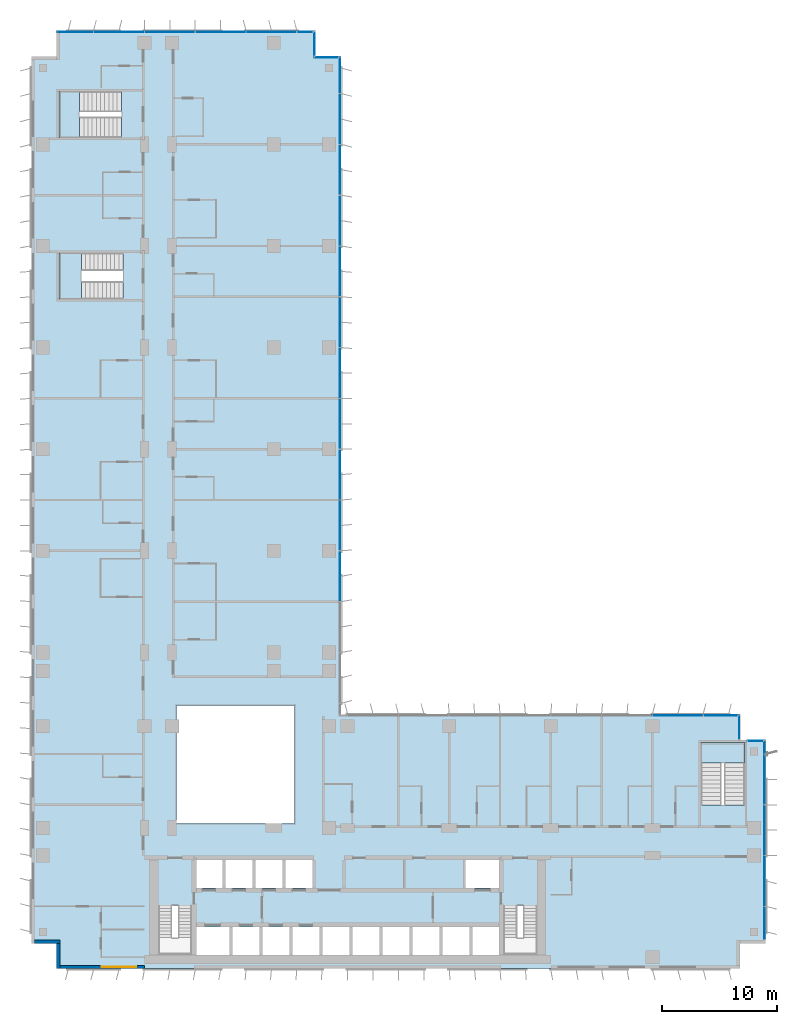
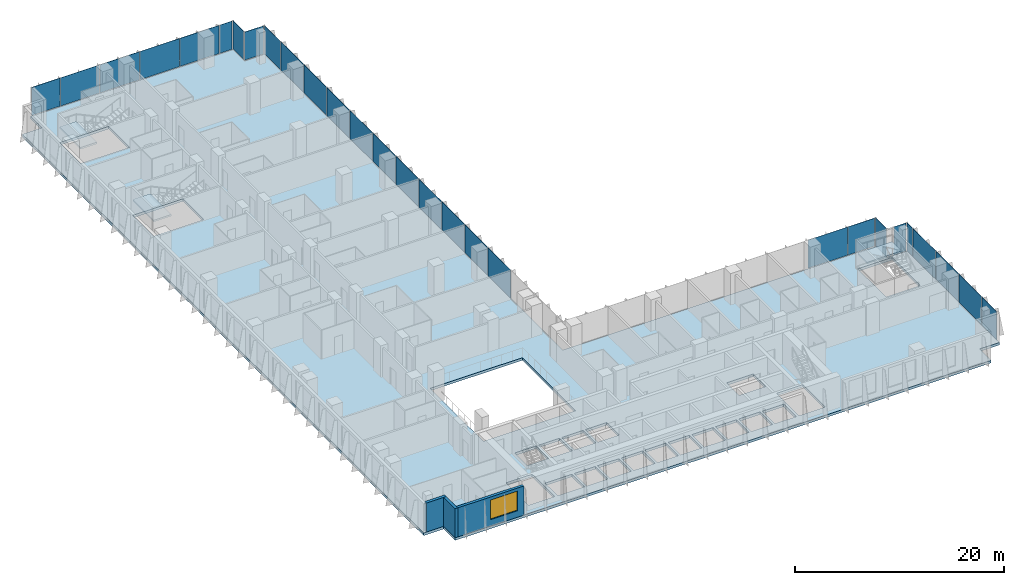
# One storey, part 11 of 22: 28 plates, 4 slabs, 3 walls, 1 window, 1 opening, 11 elements without a shape of their own.
"""IFC4 building model written with IfcOpenShell, lengths in metres."""

from ifc_helpers import new_model, si_unit, direction, frame, frame_2d, origin, origin_2d, place, context, subcontext, project, spatial, polyline, rectangle, outline, extrude, source, transform, mapped, material, layer, layer_set, type_object, element, fill, aggregate, save


model = new_model("IFC4")

# Units and contexts
model_context = context("Model", 3, precision=1e-05, world=origin(), true_north=direction((0.0, 1.0)))
body_context = subcontext(model_context, "Body", "Model", "MODEL_VIEW")
ifc_project = project(units=[si_unit("LENGTHUNIT", "METRE"), si_unit("AREAUNIT", "SQUARE_METRE"), si_unit("VOLUMEUNIT", "CUBIC_METRE"), si_unit("PLANEANGLEUNIT", "RADIAN"), si_unit("MASSUNIT", "GRAM", prefix="KILO")], contexts=[model_context])

# Site, building, storey
site_placement = place(None, origin())
site = spatial("IfcSite", under=ifc_project, at=site_placement, CompositionType="ELEMENT")
building_placement = place(site_placement, origin())
building = spatial("IfcBuilding", under=site, at=building_placement, Name="Kemantara Hotel Tower", CompositionType="ELEMENT")
storey_placement = place(building_placement, frame((0.0, 0.0, 107.39990234375)))
storey = spatial("IfcBuildingStorey", under=building, at=storey_placement, Name="L25", CompositionType="ELEMENT", Elevation=107.39990234375)

# Slab
ifc_material_1 = material(Name="Concrete fc 40 MPa", Category="concrete")
ifc_layer_1 = layer(ifc_material_1, 0.300048828125)
ifc_layer_set_1 = layer_set([ifc_layer_1], Name="Concrete fc 40 MPa")
slab_type_1 = type_object("IfcSlabType", Name="POST-TENSIONED FLAT PLATE 300", PredefinedType="FLOOR", material=ifc_layer_set_1)
slab_1_placement = place(storey_placement, frame((0.0, 0.0, -0.2998046875)))
element("IfcSlab", 1, at=slab_1_placement, inside=storey, type_object=slab_type_1, Name="FLOOR SLAB L25", PredefinedType="FLOOR", context=body_context, shape_type="SweptSolid", body=[
    extrude(outline(polyline([(26.800048828125, 79.0), (24.60009765625, 79.0), (24.60009765625, 81.199951171875), (2.199951171875, 81.199951171875), (2.199951171875, 79.0), (0.0, 79.0), (0.0, 2.199951171875), (2.199951171875, 2.199951171875), (2.199951171875, 0.0), (61.39990234375, 0.0), (61.39990234375, 2.199951171875), (63.60009765625, 2.199951171875), (63.60009765625, 19.800048828125), (61.39990234375, 19.800048828125), (61.39990234375, 22.0), (26.800048828125, 22.0), (26.800048828125, 79.0)]), holes=[polyline([(17.175048828125, 1.199951171875), (14.22509765625, 1.199951171875), (14.22509765625, 3.60009765625), (17.175048828125, 3.60009765625), (17.175048828125, 1.199951171875)]), polyline([(19.77490234375, 1.199951171875), (17.425048828125, 1.199951171875), (17.425048828125, 3.60009765625), (19.77490234375, 3.60009765625), (19.77490234375, 1.199951171875)]), polyline([(22.375, 1.199951171875), (20.02490234375, 1.199951171875), (20.02490234375, 3.60009765625), (22.375, 3.60009765625), (22.375, 1.199951171875)]), polyline([(11.0, 5.49951171875), (13.89990234375, 5.49951171875), (13.89990234375, 1.199951171875), (11.0, 1.199951171875), (11.0, 5.49951171875)]), polyline([(14.22509765625, 7.0), (14.22509765625, 9.39990234375), (16.574951171875, 9.39990234375), (16.574951171875, 7.0), (14.22509765625, 7.0)]), polyline([(19.175048828125, 7.0), (16.824951171875, 7.0), (16.824951171875, 9.39990234375), (19.175048828125, 9.39990234375), (19.175048828125, 7.0)]), polyline([(21.77490234375, 7.0), (19.425048828125, 7.0), (19.425048828125, 9.39990234375), (21.77490234375, 9.39990234375), (21.77490234375, 7.0)]), polyline([(24.375, 7.0), (22.02490234375, 7.0), (22.02490234375, 9.39990234375), (24.375, 9.39990234375), (24.375, 7.0)]), polyline([(12.60009765625, 12.60009765625), (12.60009765625, 22.800048828125), (22.800048828125, 22.800048828125), (22.800048828125, 12.60009765625), (12.60009765625, 12.60009765625)]), polyline([(7.949462890625, 62.0), (7.949462890625, 58.0), (2.39990234375, 58.0), (2.39990234375, 62.0), (7.949462890625, 62.0)]), polyline([(2.39990234375, 76.0), (7.79931640625, 76.0), (7.79931640625, 72.0), (2.39990234375, 72.0), (2.39990234375, 76.0)]), polyline([(24.97509765625, 1.199951171875), (22.625, 1.199951171875), (22.625, 3.60009765625), (24.97509765625, 3.60009765625), (24.97509765625, 1.199951171875)]), polyline([(27.574951171875, 1.199951171875), (25.22509765625, 1.199951171875), (25.22509765625, 3.60009765625), (27.574951171875, 3.60009765625), (27.574951171875, 1.199951171875)]), polyline([(27.824951171875, 1.199951171875), (27.824951171875, 3.60009765625), (30.175048828125, 3.60009765625), (30.175048828125, 1.199951171875), (27.824951171875, 1.199951171875)]), polyline([(30.425048828125, 1.199951171875), (30.425048828125, 3.60009765625), (32.77490234375, 3.60009765625), (32.77490234375, 1.199951171875), (30.425048828125, 1.199951171875)]), polyline([(35.375, 1.199951171875), (33.02490234375, 1.199951171875), (33.02490234375, 3.60009765625), (35.375, 3.60009765625), (35.375, 1.199951171875)]), polyline([(35.625, 1.199951171875), (35.625, 3.60009765625), (37.97509765625, 3.60009765625), (37.97509765625, 1.199951171875), (35.625, 1.199951171875)]), polyline([(38.22509765625, 1.199951171875), (38.22509765625, 3.60009765625), (40.574951171875, 3.60009765625), (40.574951171875, 1.199951171875), (38.22509765625, 1.199951171875)]), polyline([(40.89990234375, 1.199951171875), (40.89990234375, 5.49951171875), (43.800048828125, 5.49951171875), (43.800048828125, 1.199951171875), (40.89990234375, 1.199951171875)]), polyline([(37.625, 7.0), (37.625, 9.39990234375), (40.574951171875, 9.39990234375), (40.574951171875, 7.0), (37.625, 7.0)]), polyline([(61.800048828125, 14.20068359375), (58.0, 14.20068359375), (58.0, 19.60009765625), (61.800048828125, 19.60009765625), (61.800048828125, 14.20068359375)])]), origin(), (0.0, 0.0, 1.0), 0.2998046875),
])

# Stair, slab
stair_type_1 = type_object("IfcStairType", Name="Stair 1800 wide 22 risers of 168 x 360 mm", PredefinedType="HALF_TURN_STAIR", material=ifc_material_1)
stair_1_placement = place(storey_placement, origin())
stair_1 = element("IfcStair", 2, at=stair_1_placement, inside=storey, type_object=stair_type_1, Name="L25 Exit stair ST3", PredefinedType="HALF_TURN_STAIR")
ifc_layer_2 = layer(ifc_material_1, 0.199951171875)
ifc_layer_set_2 = layer_set([ifc_layer_2], Name="Concrete fc 40 MPa")
slab_type_2 = type_object("IfcSlabType", Name="Stair landing 200 mm", PredefinedType="LANDING", material=ifc_layer_set_2)
slab_2_placement = place(storey_placement, frame((0.0, 0.0, 1.650146484375)))
slab_2 = element("IfcSlab", 3, at=slab_2_placement, type_object=slab_type_2, Name="ST3 landing 1", PredefinedType="LANDING", context=body_context, shape_type="SweptSolid", body=[
    extrude(outline(polyline([(61.800048828125, 17.800048828125), (61.800048828125, 19.60009765625), (58.0, 19.60009765625), (58.0, 17.800048828125), (61.800048828125, 17.800048828125)])), origin(), (0.0, 0.0, 1.0), 0.199951171875),
])
aggregate(stair_1, [slab_2])

stair_type_2 = type_object("IfcStairType", Name="Stair 1550 wide 22 risers of 168 x 360 mm", PredefinedType="HALF_TURN_STAIR", material=ifc_material_1)
stair_2_placement = place(storey_placement, origin())
stair_2 = element("IfcStair", 4, at=stair_2_placement, inside=storey, type_object=stair_type_2, Name="L25 Exit stair ST4", PredefinedType="HALF_TURN_STAIR")
slab_3_placement = place(storey_placement, frame((0.0, 0.0, 1.650146484375)))
slab_3 = element("IfcSlab", 5, at=slab_3_placement, type_object=slab_type_2, Name="ST4 landing 1", PredefinedType="LANDING", context=body_context, shape_type="SweptSolid", body=[
    extrude(outline(polyline([(4.35009765625, 62.0), (2.39990234375, 62.0), (2.39990234375, 58.0), (4.35009765625, 58.0), (4.35009765625, 62.0)])), origin(), (0.0, 0.0, 1.0), 0.199951171875),
])
aggregate(stair_2, [slab_3])

stair_3_placement = place(storey_placement, origin())
stair_3 = element("IfcStair", 6, at=stair_3_placement, inside=storey, type_object=stair_type_1, Name="L25 Exit stair ST6", PredefinedType="HALF_TURN_STAIR")
slab_4_placement = place(storey_placement, frame((0.0, 0.0, 1.650146484375)))
slab_4 = element("IfcSlab", 7, at=slab_4_placement, type_object=slab_type_2, Name="ST6 landing 1", PredefinedType="LANDING", context=body_context, shape_type="SweptSolid", body=[
    extrude(outline(polyline([(4.199951171875, 76.0), (2.39990234375, 76.0), (2.39990234375, 72.0), (4.199951171875, 72.0), (4.199951171875, 76.0)])), origin(), (0.0, 0.0, 1.0), 0.199951171875),
])
aggregate(stair_3, [slab_4])

# Curtain wall, plate
ifc_material_2 = material(Name="Low-E tinted double insulated glass 36 mm", Category="glass")
curtain_wall_type = type_object("IfcCurtainWallType", Name="TOWER CURTAIN WALL, FRONT FACES", PredefinedType="USERDEFINED", material=ifc_material_2)
curtain_wall_1_placement = place(storey_placement, origin())
curtain_wall_1 = element("IfcCurtainWall", 8, at=curtain_wall_1_placement, inside=storey, type_object=curtain_wall_type, Name="CW4 L25 T2-R10-1", ObjectType="TOWER CURTAIN WALL, FRONT FACES", PredefinedType="USERDEFINED")
ifc_layer_3 = layer(ifc_material_2, 0.035888671875)
ifc_layer_set_3 = layer_set([ifc_layer_3], Name="Low-E tinted double insulated glass 36 mm")
plate_type = type_object("IfcPlateType", Name="TOWER CURTAIN WALL, FRONT FACES PANEL", PredefinedType="CURTAIN_PANEL", material=ifc_layer_set_3)
shared_shape_1 = source(origin(), body_context, "Body", "SweptSolid", [
    extrude(rectangle(XDim=2.81005859375, YDim=0.035888671875, at=origin_2d()), origin(), (0.0, 0.0, 1.0), 3.280029296875),
])
plate_1_placement = place(storey_placement, frame((63.52490234375, 3.965087890625, 0.1201171875), z_axis=(0.0, 0.0, 1.0), x_axis=(0.0, 1.0, 0.0)))
plate_1 = element("IfcPlate", 9, at=plate_1_placement, type_object=plate_type, Name="CW4 glass panel T2-R10-1.1", PredefinedType="CURTAIN_PANEL", context=body_context, shape_type="MappedRepresentation", body=[
    mapped(shared_shape_1, transform((0.0, 0.0, 0.0))),
])

# Curtain wall, plates
curtain_wall_2_placement = place(storey_placement, origin())
curtain_wall_2 = element("IfcCurtainWall", 10, at=curtain_wall_2_placement, inside=storey, type_object=curtain_wall_type, Name="CW4 L25 T2-R01-1", ObjectType="TOWER CURTAIN WALL, FRONT FACES", PredefinedType="USERDEFINED")
shared_shape_2 = source(origin(), body_context, "Body", "SweptSolid", [
    extrude(rectangle(XDim=4.340087890625, YDim=0.035888671875, at=origin_2d()), origin(), (0.0, 0.0, 1.0), 3.280029296875),
])
plate_2_placement = place(storey_placement, frame((20.800048828125, 81.125, 0.1201171875), z_axis=(0.0, 0.0, 1.0), x_axis=(-1.0, 0.0, 0.0)))
plate_2 = element("IfcPlate", 11, at=plate_2_placement, type_object=plate_type, Name="CW4 glass panel T2-R01-1.2", PredefinedType="CURTAIN_PANEL", context=body_context, shape_type="MappedRepresentation", body=[
    mapped(shared_shape_2, transform((0.0, 0.0, 0.0))),
])
plate_3_placement = place(storey_placement, frame((16.39990234375, 81.125, 0.1201171875), z_axis=(0.0, 0.0, 1.0), x_axis=(-1.0, 0.0, 0.0)))
plate_3 = element("IfcPlate", 12, at=plate_3_placement, type_object=plate_type, Name="CW4 glass panel T2-R01-1.3", PredefinedType="CURTAIN_PANEL", context=body_context, shape_type="MappedRepresentation", body=[
    mapped(shared_shape_2, transform((0.0, 0.0, 0.0))),
])
plate_4_placement = place(storey_placement, frame((12.0, 81.125, 0.1201171875), z_axis=(0.0, 0.0, 1.0), x_axis=(-1.0, 0.0, 0.0)))
plate_4 = element("IfcPlate", 13, at=plate_4_placement, type_object=plate_type, Name="CW4 glass panel T2-R01-1.4", PredefinedType="CURTAIN_PANEL", context=body_context, shape_type="MappedRepresentation", body=[
    mapped(shared_shape_2, transform((0.0, 0.0, 0.0))),
])
plate_5_placement = place(storey_placement, frame((7.60009765625, 81.125, 0.1201171875), z_axis=(0.0, 0.0, 1.0), x_axis=(-1.0, 0.0, 0.0)))
plate_5 = element("IfcPlate", 14, at=plate_5_placement, type_object=plate_type, Name="CW4 glass panel T2-R01-1.5", PredefinedType="CURTAIN_PANEL", context=body_context, shape_type="MappedRepresentation", body=[
    mapped(shared_shape_2, transform((0.0, 0.0, 0.0))),
])

# Plate
plate_6_placement = place(storey_placement, frame((63.52490234375, 7.60009765625, 0.1201171875), z_axis=(0.0, 0.0, 1.0), x_axis=(0.0, 1.0, 0.0)))
plate_6 = element("IfcPlate", 15, at=plate_6_placement, type_object=plate_type, Name="CW4 glass panel T2-R10-1.2", PredefinedType="CURTAIN_PANEL", context=body_context, shape_type="MappedRepresentation", body=[
    mapped(shared_shape_2, transform((0.0, 0.0, 0.0))),
])

plate_7_placement = place(storey_placement, frame((63.52490234375, 12.0, 0.1201171875), z_axis=(0.0, 0.0, 1.0), x_axis=(0.0, 1.0, 0.0)))
plate_7 = element("IfcPlate", 16, at=plate_7_placement, type_object=plate_type, Name="CW4 glass panel T2-R10-1.3", PredefinedType="CURTAIN_PANEL", context=body_context, shape_type="MappedRepresentation", body=[
    mapped(shared_shape_2, transform((0.0, 0.0, 0.0))),
])

plate_8_placement = place(storey_placement, frame((63.52490234375, 16.39990234375, 0.1201171875), z_axis=(0.0, 0.0, 1.0), x_axis=(0.0, 1.0, 0.0)))
plate_8 = element("IfcPlate", 17, at=plate_8_placement, type_object=plate_type, Name="CW4 glass panel T2-R10-1.4", PredefinedType="CURTAIN_PANEL", context=body_context, shape_type="MappedRepresentation", body=[
    mapped(shared_shape_2, transform((0.0, 0.0, 0.0))),
])

# Curtain wall, plate
curtain_wall_3_placement = place(storey_placement, origin())
curtain_wall_3 = element("IfcCurtainWall", 18, at=curtain_wall_3_placement, inside=storey, type_object=curtain_wall_type, Name="CW4 L25 T2-R13-1", ObjectType="TOWER CURTAIN WALL, FRONT FACES", PredefinedType="USERDEFINED")
plate_9_placement = place(storey_placement, frame((56.0, 21.925048828125, 0.1201171875), z_axis=(0.0, 0.0, 1.0), x_axis=(-1.0, 0.0, 0.0)))
plate_9 = element("IfcPlate", 19, at=plate_9_placement, type_object=plate_type, Name="CW4 glass panel T2-R13-1.2", PredefinedType="CURTAIN_PANEL", context=body_context, shape_type="MappedRepresentation", body=[
    mapped(shared_shape_2, transform((0.0, 0.0, 0.0))),
])

# Curtain wall, plates
curtain_wall_4_placement = place(storey_placement, origin())
curtain_wall_4 = element("IfcCurtainWall", 20, at=curtain_wall_4_placement, inside=storey, type_object=curtain_wall_type, Name="CW4 L25 T2-R14-1", ObjectType="TOWER CURTAIN WALL, FRONT FACES", PredefinedType="USERDEFINED")
plate_10_placement = place(storey_placement, frame((26.72509765625, 34.0, 0.1201171875), z_axis=(0.0, 0.0, 1.0), x_axis=(0.0, 1.0, 0.0)))
plate_10 = element("IfcPlate", 21, at=plate_10_placement, type_object=plate_type, Name="CW4 glass panel T2-R14-1.4", PredefinedType="CURTAIN_PANEL", context=body_context, shape_type="MappedRepresentation", body=[
    mapped(shared_shape_2, transform((0.0, 0.0, 0.0))),
])
plate_11_placement = place(storey_placement, frame((26.72509765625, 38.39990234375, 0.1201171875), z_axis=(0.0, 0.0, 1.0), x_axis=(0.0, 1.0, 0.0)))
plate_11 = element("IfcPlate", 22, at=plate_11_placement, type_object=plate_type, Name="CW4 glass panel T2-R14-1.5", PredefinedType="CURTAIN_PANEL", context=body_context, shape_type="MappedRepresentation", body=[
    mapped(shared_shape_2, transform((0.0, 0.0, 0.0))),
])
plate_12_placement = place(storey_placement, frame((26.72509765625, 42.800048828125, 0.1201171875), z_axis=(0.0, 0.0, 1.0), x_axis=(0.0, 1.0, 0.0)))
plate_12 = element("IfcPlate", 23, at=plate_12_placement, type_object=plate_type, Name="CW4 glass panel T2-R14-1.6", PredefinedType="CURTAIN_PANEL", context=body_context, shape_type="MappedRepresentation", body=[
    mapped(shared_shape_2, transform((0.0, 0.0, 0.0))),
])
plate_13_placement = place(storey_placement, frame((26.72509765625, 47.199951171875, 0.1201171875), z_axis=(0.0, 0.0, 1.0), x_axis=(0.0, 1.0, 0.0)))
plate_13 = element("IfcPlate", 24, at=plate_13_placement, type_object=plate_type, Name="CW4 glass panel T2-R14-1.7", PredefinedType="CURTAIN_PANEL", context=body_context, shape_type="MappedRepresentation", body=[
    mapped(shared_shape_2, transform((0.0, 0.0, 0.0))),
])
plate_14_placement = place(storey_placement, frame((26.72509765625, 51.60009765625, 0.1201171875), z_axis=(0.0, 0.0, 1.0), x_axis=(0.0, 1.0, 0.0)))
plate_14 = element("IfcPlate", 25, at=plate_14_placement, type_object=plate_type, Name="CW4 glass panel T2-R14-1.8", PredefinedType="CURTAIN_PANEL", context=body_context, shape_type="MappedRepresentation", body=[
    mapped(shared_shape_2, transform((0.0, 0.0, 0.0))),
])
plate_15_placement = place(storey_placement, frame((26.72509765625, 56.0, 0.1201171875), z_axis=(0.0, 0.0, 1.0), x_axis=(0.0, 1.0, 0.0)))
plate_15 = element("IfcPlate", 26, at=plate_15_placement, type_object=plate_type, Name="CW4 glass panel T2-R14-1.9", PredefinedType="CURTAIN_PANEL", context=body_context, shape_type="MappedRepresentation", body=[
    mapped(shared_shape_2, transform((0.0, 0.0, 0.0))),
])
plate_16_placement = place(storey_placement, frame((26.72509765625, 60.39990234375, 0.1201171875), z_axis=(0.0, 0.0, 1.0), x_axis=(0.0, 1.0, 0.0)))
plate_16 = element("IfcPlate", 27, at=plate_16_placement, type_object=plate_type, Name="CW4 glass panel T2-R14-1.10", PredefinedType="CURTAIN_PANEL", context=body_context, shape_type="MappedRepresentation", body=[
    mapped(shared_shape_2, transform((0.0, 0.0, 0.0))),
])
plate_17_placement = place(storey_placement, frame((26.72509765625, 64.800048828125, 0.1201171875), z_axis=(0.0, 0.0, 1.0), x_axis=(0.0, 1.0, 0.0)))
plate_17 = element("IfcPlate", 28, at=plate_17_placement, type_object=plate_type, Name="CW4 glass panel T2-R14-1.11", PredefinedType="CURTAIN_PANEL", context=body_context, shape_type="MappedRepresentation", body=[
    mapped(shared_shape_2, transform((0.0, 0.0, 0.0))),
])
plate_18_placement = place(storey_placement, frame((26.72509765625, 69.199951171875, 0.1201171875), z_axis=(0.0, 0.0, 1.0), x_axis=(0.0, 1.0, 0.0)))
plate_18 = element("IfcPlate", 29, at=plate_18_placement, type_object=plate_type, Name="CW4 glass panel T2-R14-1.12", PredefinedType="CURTAIN_PANEL", context=body_context, shape_type="MappedRepresentation", body=[
    mapped(shared_shape_2, transform((0.0, 0.0, 0.0))),
])
plate_19_placement = place(storey_placement, frame((26.72509765625, 73.60009765625, 0.1201171875), z_axis=(0.0, 0.0, 1.0), x_axis=(0.0, 1.0, 0.0)))
plate_19 = element("IfcPlate", 30, at=plate_19_placement, type_object=plate_type, Name="CW4 glass panel T2-R14-1.13", PredefinedType="CURTAIN_PANEL", context=body_context, shape_type="MappedRepresentation", body=[
    mapped(shared_shape_2, transform((0.0, 0.0, 0.0))),
])

# Plate
shared_shape_3 = source(origin(), body_context, "Body", "SweptSolid", [
    extrude(rectangle(XDim=1.360107421875, YDim=0.035888671875, at=origin_2d()), origin(), (0.0, 0.0, 1.0), 3.280029296875),
])
plate_20_placement = place(storey_placement, frame((23.7099609375, 81.125, 0.1201171875), z_axis=(0.0, 0.0, 1.0), x_axis=(-1.0, 0.0, 0.0)))
plate_20 = element("IfcPlate", 31, at=plate_20_placement, type_object=plate_type, Name="CW4 glass panel T2-R01-1.1", PredefinedType="CURTAIN_PANEL", context=body_context, shape_type="MappedRepresentation", body=[
    mapped(shared_shape_3, transform((0.0, 0.0, 0.0))),
])

shared_shape_4 = source(origin(), body_context, "Body", "SweptSolid", [
    extrude(rectangle(XDim=3.110107421875, YDim=0.035888671875, at=origin_2d()), origin(), (0.0, 0.0, 1.0), 3.280029296875),
])
plate_21_placement = place(storey_placement, frame((3.81494140625, 81.125, 0.1201171875), z_axis=(0.0, 0.0, 1.0), x_axis=(-1.0, 0.0, 0.0)))
plate_21 = element("IfcPlate", 32, at=plate_21_placement, type_object=plate_type, Name="CW4 glass panel T2-R01-1.6", PredefinedType="CURTAIN_PANEL", context=body_context, shape_type="MappedRepresentation", body=[
    mapped(shared_shape_4, transform((0.0, 0.0, 0.0))),
])

aggregate(curtain_wall_2, [plate_20, plate_2, plate_3, plate_4, plate_5, plate_21])

plate_22_placement = place(storey_placement, frame((26.72509765625, 77.385009765625, 0.1201171875), z_axis=(0.0, 0.0, 1.0), x_axis=(0.0, 1.0, 0.0)))
plate_22 = element("IfcPlate", 33, at=plate_22_placement, type_object=plate_type, Name="CW4 glass panel T2-R14-1.14", PredefinedType="CURTAIN_PANEL", context=body_context, shape_type="MappedRepresentation", body=[
    mapped(shared_shape_4, transform((0.0, 0.0, 0.0))),
])

aggregate(curtain_wall_4, [plate_10, plate_11, plate_12, plate_13, plate_14, plate_15, plate_16, plate_17, plate_18, plate_19, plate_22])

# Curtain wall, plate
curtain_wall_5_placement = place(storey_placement, origin())
curtain_wall_5 = element("IfcCurtainWall", 34, at=curtain_wall_5_placement, inside=storey, type_object=curtain_wall_type, Name="CW4 L25 T2-R00-1", ObjectType="TOWER CURTAIN WALL, FRONT FACES", PredefinedType="USERDEFINED")
shared_shape_5 = source(origin(), body_context, "Body", "SweptSolid", [
    extrude(rectangle(XDim=2.080078125, YDim=0.035888671875, at=origin_2d()), origin(), (0.0, 0.0, 1.0), 3.280029296875),
])
plate_23_placement = place(storey_placement, frame((24.52490234375, 80.10009765625, 0.1201171875), z_axis=(0.0, 0.0, 1.0), x_axis=(0.0, 1.0, 0.0)))
plate_23 = element("IfcPlate", 35, at=plate_23_placement, type_object=plate_type, Name="CW4 glass panel T2-R00-1.1", PredefinedType="CURTAIN_PANEL", context=body_context, shape_type="MappedRepresentation", body=[
    mapped(shared_shape_5, transform((0.0, 0.0, 0.0))),
])
aggregate(curtain_wall_5, [plate_23])

curtain_wall_6_placement = place(storey_placement, origin())
curtain_wall_6 = element("IfcCurtainWall", 36, at=curtain_wall_6_placement, inside=storey, type_object=curtain_wall_type, Name="CW4 L25 T2-R12-1", ObjectType="TOWER CURTAIN WALL, FRONT FACES", PredefinedType="USERDEFINED")
plate_24_placement = place(storey_placement, frame((61.324951171875, 20.89990234375, 0.1201171875), z_axis=(0.0, 0.0, 1.0), x_axis=(0.0, 1.0, 0.0)))
plate_24 = element("IfcPlate", 37, at=plate_24_placement, type_object=plate_type, Name="CW4 glass panel T2-R12-1.1", PredefinedType="CURTAIN_PANEL", context=body_context, shape_type="MappedRepresentation", body=[
    mapped(shared_shape_5, transform((0.0, 0.0, 0.0))),
])
aggregate(curtain_wall_6, [plate_24])

curtain_wall_7_placement = place(storey_placement, origin())
curtain_wall_7 = element("IfcCurtainWall", 38, at=curtain_wall_7_placement, inside=storey, type_object=curtain_wall_type, Name="CW4 L25 T2-R15-1", ObjectType="TOWER CURTAIN WALL, FRONT FACES", PredefinedType="USERDEFINED")
plate_25_placement = place(storey_placement, frame((25.550048828125, 78.925048828125, 0.1201171875), z_axis=(0.0, 0.0, 1.0), x_axis=(-1.0, 0.0, 0.0)))
plate_25 = element("IfcPlate", 39, at=plate_25_placement, type_object=plate_type, Name="CW4 glass panel T2-R15-1.1", PredefinedType="CURTAIN_PANEL", context=body_context, shape_type="MappedRepresentation", body=[
    mapped(shared_shape_5, transform((0.0, 0.0, 0.0))),
])
aggregate(curtain_wall_7, [plate_25])

# Plate
shared_shape_6 = source(origin(), body_context, "Body", "SweptSolid", [
    extrude(rectangle(XDim=2.9599609375, YDim=0.035888671875, at=origin_2d()), origin(), (0.0, 0.0, 1.0), 3.280029296875),
])
plate_26_placement = place(storey_placement, frame((59.7099609375, 21.925048828125, 0.1201171875), z_axis=(0.0, 0.0, 1.0), x_axis=(-1.0, 0.0, 0.0)))
plate_26 = element("IfcPlate", 40, at=plate_26_placement, type_object=plate_type, Name="CW4 glass panel T2-R13-1.1", PredefinedType="CURTAIN_PANEL", context=body_context, shape_type="MappedRepresentation", body=[
    mapped(shared_shape_6, transform((0.0, 0.0, 0.0))),
])

aggregate(curtain_wall_3, [plate_26, plate_9])

shared_shape_7 = source(origin(), body_context, "Body", "SweptSolid", [
    extrude(rectangle(XDim=1.110107421875, YDim=0.035888671875, at=origin_2d()), origin(), (0.0, 0.0, 1.0), 3.280029296875),
])
plate_27_placement = place(storey_placement, frame((63.52490234375, 19.18505859375, 0.1201171875), z_axis=(0.0, 0.0, 1.0), x_axis=(0.0, 1.0, 0.0)))
plate_27 = element("IfcPlate", 41, at=plate_27_placement, type_object=plate_type, Name="CW4 glass panel T2-R10-1.5", PredefinedType="CURTAIN_PANEL", context=body_context, shape_type="MappedRepresentation", body=[
    mapped(shared_shape_7, transform((0.0, 0.0, 0.0))),
])

aggregate(curtain_wall_1, [plate_1, plate_6, plate_7, plate_8, plate_27])

# Curtain wall, plate
curtain_wall_8_placement = place(storey_placement, origin())
curtain_wall_8 = element("IfcCurtainWall", 42, at=curtain_wall_8_placement, inside=storey, type_object=curtain_wall_type, Name="CW4 L25 T2-R11-1", ObjectType="TOWER CURTAIN WALL, FRONT FACES", PredefinedType="USERDEFINED")
shared_shape_8 = source(origin(), body_context, "Body", "SweptSolid", [
    extrude(rectangle(XDim=1.330078125, YDim=0.035888671875, at=origin_2d()), origin(), (0.0, 0.0, 1.0), 3.280029296875),
])
plate_28_placement = place(storey_placement, frame((62.72509765625, 19.72509765625, 0.1201171875), z_axis=(0.0, 0.0, 1.0), x_axis=(-1.0, 0.0, 0.0)))
plate_28 = element("IfcPlate", 43, at=plate_28_placement, type_object=plate_type, Name="CW4 glass panel T2-R11-1.1", PredefinedType="CURTAIN_PANEL", context=body_context, shape_type="MappedRepresentation", body=[
    mapped(shared_shape_8, transform((0.0, 0.0, 0.0))),
])
aggregate(curtain_wall_8, [plate_28])

# Walls
ifc_material_3 = material(Name="Bronze anodised aluminium cladding on insulated steel stud wall", Category="steel")
ifc_layer_4 = layer(ifc_material_3, 0.300048828125)
ifc_layer_set_4 = layer_set([ifc_layer_4], Name="Bronze anodised aluminium cladding on insulated steel stud wall")
wall_type = type_object("IfcWallType", Name="BRONZE METAL-CLAD EXTERNAL WALL 300", PredefinedType="STANDARD", material=ifc_layer_set_4)
for number, where, z_axis, x_axis, name in (
    (44, (0.300048828125, 2.35009765625, 0.0), (0.0, 0.0, 1.0), (1.0, 0.0, 0.0), "EXTERNAL WALL L25 T2-R05"),
    (45, (2.35009765625, 2.199951171875, 0.0), (0.0, 0.0, 1.0), (0.0, -1.0, 0.0), "EXTERNAL WALL L25 T2-R06"),
):
    element("IfcWall", number, at=place(storey_placement, frame(where, z_axis=z_axis, x_axis=x_axis)), inside=storey, type_object=wall_type, Name=name, PredefinedType="STANDARD", context=body_context, shape_type="SweptSolid", body=[
        extrude(rectangle(XDim=2.199951171875, YDim=0.300048828125, at=frame_2d((1.10009765625, 0.0))), origin(), (0.0, 0.0, 1.0), 3.400146484375),
    ])

# Wall, opening, window
wall_placement = place(storey_placement, frame((2.5, 0.14990234375, 0.0), z_axis=(0.0, 0.0, 1.0), x_axis=(1.0, 0.0, 0.0)))
wall = element("IfcWall", 46, at=wall_placement, inside=storey, type_object=wall_type, Name="EXTERNAL WALL L25 T2-R07", PredefinedType="STANDARD", context=body_context, shape_type="SweptSolid", body=[
    extrude(rectangle(XDim=7.300048828125, YDim=0.300048828125, at=frame_2d((3.64990234375, 0.0))), origin(), (0.0, 0.0, 1.0), 3.400146484375),
])
opening_placement = place(wall_placement, frame((3.60009765625, 0.0, 0.75)))
opening = element("IfcOpeningElement", 47, at=opening_placement, cuts=wall, Name="Opening W1", PredefinedType="OPENING", context=body_context, shape_type="SweptSolid", body=[
    extrude(rectangle(XDim=3.0, YDim=2.300048828125, at=frame_2d((1.5, 1.14990234375))), frame((0.0, 0.159912109375, 0.0), z_axis=(0.0, -1.0, 0.0), x_axis=(1.0, 0.0, 0.0)), (0.0, 0.0, 1.0), 0.320068359375),
])
ifc_material_4 = material(Name="Low-E tinted double insulated glass in bronze anodised aluminium frame", Category="aluminium")
window_type = type_object("IfcWindowType", Name="CHICAGO WINDOW, TRIPLE PANEL 3000x2300", PartitioningType="TRIPLE_PANEL_VERTICAL", PredefinedType="WINDOW", material=ifc_material_4)
window_placement = place(opening_placement, origin())
window = element("IfcWindow", 48, at=window_placement, inside=storey, type_object=window_type, Name="CHICAGO WINDOW L25 T2-R07-54", OverallHeight=2.300048828125, OverallWidth=3.0, PartitioningType="SINGLE_PANEL", PredefinedType="WINDOW", context=body_context, shape_type="SweptSolid", body=[
    extrude(rectangle(XDim=3.0, YDim=2.300048828125, at=frame_2d((1.5, 1.14990234375))), frame((0.0, 0.030029296875, 0.0), z_axis=(0.0, -1.0, 0.0), x_axis=(1.0, 0.0, 0.0)), (0.0, 0.0, 1.0), 0.06005859375),
])
fill(opening, window)

save(model, "model.ifc")
